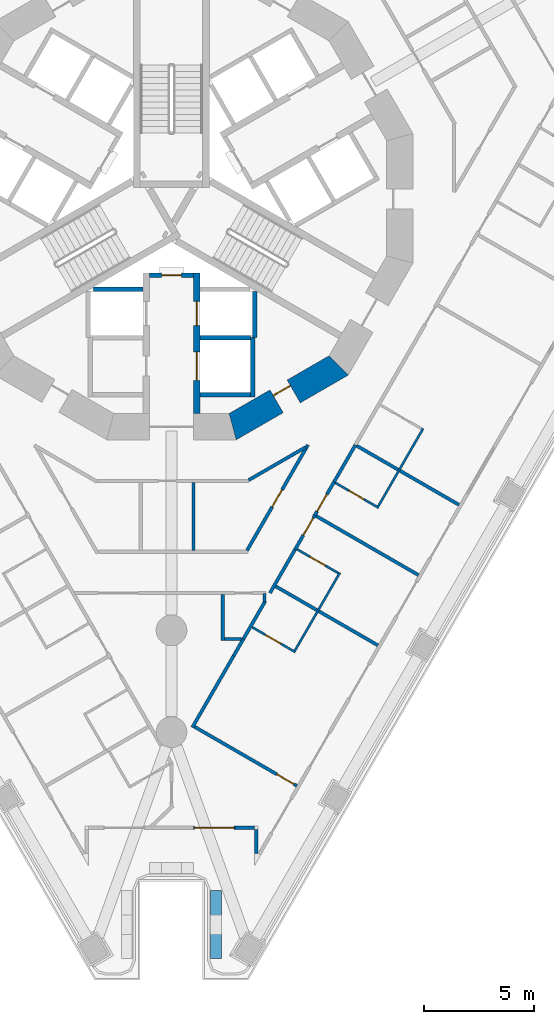
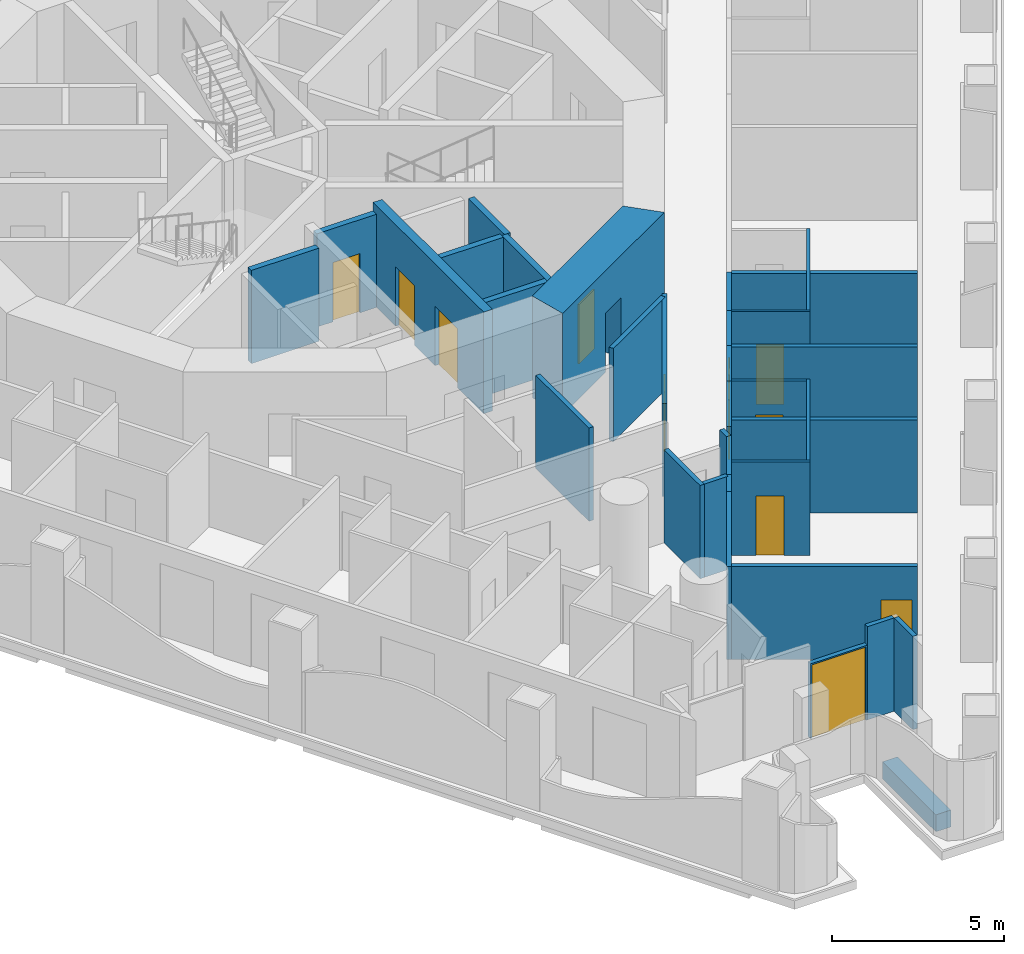
# One storey, part 4 of 19: 34 walls, 12 doors, 12 openings.
"""IFC4 building model written with IfcOpenShell, lengths in metres."""

import ifcopenshell
import ifcopenshell.guid

model = None  # the IFC model being written
_history = None  # IfcOwnerHistory: only IFC2X3 demands one
_inside = {}  # id of a spatial element -> (the spatial element, [elements in it])
_under = {}  # id of a project, library or spatial element -> (it, [spatial elements below it])
_declared = {}  # id of a project -> (the project, [libraries it declares])
_typed = {}  # id of a type object -> (the type object, [elements of that type])
_made_of = {}  # id of a material, layer set ... -> (it, [elements and type objects made of it])


def new_model(schema):
    """Start an empty IFC model of exactly this schema.

    Asked for "IFC4X3", IfcOpenShell would pick the latest addendum, in which some entities
    have other attributes; the version numbers below select the first issue.
    IFC2X3 requires an IfcOwnerHistory on every rooted entity: one is made here for all.
    """
    global model, _history
    if schema == "IFC4X3":
        model = ifcopenshell.file(schema_version=(4, 3, 0, 0))
    else:
        model = ifcopenshell.file(schema=schema)
    _inside.clear()
    _under.clear()
    _declared.clear()
    _typed.clear()
    _made_of.clear()
    _history = None
    if model.schema == "IFC2X3":
        org = make("IfcOrganization", Name="unknown")
        user = make(
            "IfcPersonAndOrganization",
            ThePerson=make("IfcPerson", FamilyName="unknown"),
            TheOrganization=org,
        )
        app = make(
            "IfcApplication",
            ApplicationDeveloper=org,
            Version="unknown",
            ApplicationFullName="unknown",
            ApplicationIdentifier="unknown",
        )
        _history = make(
            "IfcOwnerHistory",
            OwningUser=user,
            OwningApplication=app,
            ChangeAction="ADDED",
            CreationDate=0,
        )
    return model


def make(cls, **values):
    """One entity of the class cls with the attributes given. An attribute that is None is left unset."""
    return model.create_entity(
        cls, **{name: value for name, value in values.items() if value is not None}
    )


def rooted(cls, **values):
    """An entity with a GlobalId (a new one), such as an element, a storey or a relation."""
    return make(cls, GlobalId=ifcopenshell.guid.new(), OwnerHistory=_history, **values)


def si_unit(unit_type, name, prefix=None):
    """IfcSIUnit, for example si_unit("LENGTHUNIT", "METRE", prefix="MILLI")."""
    return make("IfcSIUnit", UnitType=unit_type, Prefix=prefix, Name=name)


def assignment(units):
    """IfcUnitAssignment: the units of a project."""
    return None if units is None else make("IfcUnitAssignment", Units=units)


def point(xyz):
    """IfcCartesianPoint."""
    return None if xyz is None else make("IfcCartesianPoint", Coordinates=xyz)


def direction(xyz):
    """IfcDirection."""
    return None if xyz is None else make("IfcDirection", DirectionRatios=xyz)


def frame(location, z_axis=None, x_axis=None):
    """IfcAxis2Placement3D, a coordinate frame: its origin and axes. An axis left out is left unset."""
    return make(
        "IfcAxis2Placement3D",
        Location=point(location),
        Axis=direction(z_axis),
        RefDirection=direction(x_axis),
    )


def frame_2d(location, x_axis=None):
    """IfcAxis2Placement2D, a coordinate frame in the plane: its origin and x axis."""
    return make(
        "IfcAxis2Placement2D", Location=point(location), RefDirection=direction(x_axis)
    )


def origin():
    """The frame at (0, 0, 0) with its axes left unset."""
    return frame((0.0, 0.0, 0.0))


def place(relative_to, where):
    """IfcLocalPlacement: puts the frame where relative to a parent placement (None: the world)."""
    return make(
        "IfcLocalPlacement", PlacementRelTo=relative_to, RelativePlacement=where
    )


def context(
    kind, dimensions, precision=None, world=None, true_north=None, identifier=None
):
    """IfcGeometricRepresentationContext, for example the 3D "Model" context."""
    return make(
        "IfcGeometricRepresentationContext",
        ContextIdentifier=identifier,
        ContextType=kind,
        CoordinateSpaceDimension=dimensions,
        Precision=precision,
        WorldCoordinateSystem=world,
        TrueNorth=true_north,
    )


def subcontext(parent, identifier, kind, view, scale=None):
    """IfcGeometricRepresentationSubContext, for example "Body" below "Model"."""
    return make(
        "IfcGeometricRepresentationSubContext",
        ContextIdentifier=identifier,
        ContextType=kind,
        ParentContext=parent,
        TargetScale=scale,
        TargetView=view,
    )


def project(units=None, contexts=None):
    """IfcProject with its units and contexts."""
    return rooted(
        "IfcProject",
        Name="project",
        RepresentationContexts=contexts,
        UnitsInContext=assignment(units),
    )


def spatial(cls, under=None, at=None, **own):
    """A site, building, storey or space (cls), placed at a placement, below another one or the project."""
    s = rooted(cls, ObjectPlacement=at, **own)
    if under is not None:
        _under.setdefault(under.id(), (under, []))[1].append(s)
    return s


def polyline(points):
    """IfcPolyline through the points."""
    return make("IfcPolyline", Points=[point(p) for p in points])


def profile(cls, at=None, kind="AREA", **sizes):
    """A parametric profile (cls). Its sizes go by their IFC names, for example OverallWidth=200.0."""
    return make(cls, ProfileType=kind, Position=at, **sizes)


def rectangle(**sizes):
    """IfcRectangleProfileDef."""
    return profile("IfcRectangleProfileDef", **sizes)


def outline(outer, holes=None, kind="AREA"):
    """IfcArbitraryClosedProfileDef: a profile drawn as a closed curve; with holes, ...WithVoids."""
    if holes is None:
        return make("IfcArbitraryClosedProfileDef", ProfileType=kind, OuterCurve=outer)
    return make(
        "IfcArbitraryProfileDefWithVoids",
        ProfileType=kind,
        OuterCurve=outer,
        InnerCurves=holes,
    )


def extrude(swept, where, along, depth):
    """IfcExtrudedAreaSolid: the profile swept, set in the frame where, extruded along a direction by depth."""
    return make(
        "IfcExtrudedAreaSolid",
        SweptArea=swept,
        Position=where,
        ExtrudedDirection=direction(along),
        Depth=depth,
    )


def shape(context_of_items, identifier, shape_type, items):
    """IfcShapeRepresentation: the items that make up one representation, for example the "Body"."""
    return make(
        "IfcShapeRepresentation",
        ContextOfItems=context_of_items,
        RepresentationIdentifier=identifier,
        RepresentationType=shape_type,
        Items=items,
    )


def material(Name=None, Category=None):
    """IfcMaterial."""
    return make("IfcMaterial", Name=Name, Category=Category)


def layer(
    of_material, thickness, ventilated=None, Name=None, Category=None, Priority=None
):
    """IfcMaterialLayer: one layer of a wall or slab, of a material (None: an air gap)."""
    return make(
        "IfcMaterialLayer",
        Material=of_material,
        LayerThickness=thickness,
        IsVentilated=ventilated,
        Name=Name,
        Category=Category,
        Priority=Priority,
    )


def layer_set(layers, Name=None):
    """IfcMaterialLayerSet."""
    return make("IfcMaterialLayerSet", MaterialLayers=layers, LayerSetName=Name)


def made_of(thing, what):
    """Note that an element or type object is made of a material, layer set ...; save() writes the relation."""
    if what is not None:
        _made_of.setdefault(what.id(), (what, []))[1].append(thing)
    return thing


def type_object(cls, material=None, **own):
    """A type object (cls), such as IfcWallType, which elements share."""
    return made_of(rooted(cls, **own), material)


def element(
    cls,
    number,
    at=None,
    inside=None,
    cuts=None,
    type_object=None,
    material=None,
    context=None,
    identifier="Body",
    shape_type=None,
    held_by="IfcProductDefinitionShape",
    body=None,
    shapes=None,
    **own,
):
    """One element of the class cls, such as IfcWall. Its Tag is "e" and its number.

    at: its placement. inside: the storey or other place that contains it. cuts: it is an
    opening in that element (IfcRelVoidsElement). A single representation is given by context,
    identifier, shape_type and body (its items); several are given by shapes. held_by: the class
    of the entity that holds the representations. save() writes the other relations.
    """
    e = rooted(cls, Tag="e%d" % number, ObjectPlacement=at, **own)
    if body is not None:
        shapes = [shape(context, identifier, shape_type, body)]
    if shapes is not None:
        e.Representation = make(held_by, Representations=shapes)
    if inside is not None:
        _inside.setdefault(inside.id(), (inside, []))[1].append(e)
    if cuts is not None:
        rooted(
            "IfcRelVoidsElement", RelatingBuildingElement=cuts, RelatedOpeningElement=e
        )
    if type_object is not None:
        _typed.setdefault(type_object.id(), (type_object, []))[1].append(e)
    return made_of(e, material)


def fill(opening, filler):
    """IfcRelFillsElement: the door or window that sits in an opening."""
    return rooted(
        "IfcRelFillsElement",
        RelatingOpeningElement=opening,
        RelatedBuildingElement=filler,
    )


def aggregate(whole, parts):
    """IfcRelAggregates: a whole, such as a stair, and the parts it consists of."""
    return rooted("IfcRelAggregates", RelatingObject=whole, RelatedObjects=parts)


def save(model, path):
    """Write the relations noted so far, then the file.

    IfcRelAggregates (storeys below a building ...), IfcRelContainedInSpatialStructure (elements
    in a storey), IfcRelDefinesByType, IfcRelAssociatesMaterial and IfcRelDeclares: one each for
    every whole, place, type object, material and project.
    """
    for whole, parts in _under.values():
        aggregate(whole, parts)
    for where, things in _inside.values():
        rooted(
            "IfcRelContainedInSpatialStructure",
            RelatedElements=things,
            RelatingStructure=where,
        )
    for kind, things in _typed.values():
        rooted("IfcRelDefinesByType", RelatedObjects=things, RelatingType=kind)
    for what, things in _made_of.values():
        rooted("IfcRelAssociatesMaterial", RelatedObjects=things, RelatingMaterial=what)
    for by, libraries in _declared.values():
        rooted("IfcRelDeclares", RelatingContext=by, RelatedDefinitions=libraries)
    model.write(path)


model = new_model("IFC4")

# Units and contexts
model_context = context("Model", 3, precision=1e-05, world=origin(), true_north=direction((0.0, 1.0)))
body_context = subcontext(model_context, "Body", "Model", "MODEL_VIEW")
ifc_project = project(units=[si_unit("LENGTHUNIT", "METRE"), si_unit("AREAUNIT", "SQUARE_METRE"), si_unit("VOLUMEUNIT", "CUBIC_METRE"), si_unit("PLANEANGLEUNIT", "RADIAN"), si_unit("MASSUNIT", "GRAM", prefix="KILO")], contexts=[model_context])

# Site, building, storey
site_placement = place(None, origin())
site = spatial("IfcSite", under=ifc_project, at=site_placement, CompositionType="ELEMENT")
building_placement = place(site_placement, origin())
building = spatial("IfcBuilding", under=site, at=building_placement, Name="Trine Commons Tower", CompositionType="ELEMENT")
storey_placement = place(building_placement, frame((0.0, 0.0, 31.5)))
storey = spatial("IfcBuildingStorey", under=building, at=storey_placement, Name="L06", CompositionType="ELEMENT", Elevation=31.5)

# Walls
ifc_material_1 = material(Name="Aluminium-framed insulated wall panel", Category="aluminium")
ifc_layer_1 = layer(ifc_material_1, 0.14990234375)
ifc_layer_set_1 = layer_set([ifc_layer_1], Name="Aluminium-framed insulated wall panel")
wall_type_1 = type_object("IfcWallType", Name="Glazed frame wall 150, EI 60", PredefinedType="SOLIDWALL", material=ifc_layer_set_1)
wall_1_placement = place(storey_placement, frame((83.864990234375, 32.48583984375, 0.0), z_axis=(0.0, 0.0, 1.0), x_axis=(0.0, 1.0, 0.0)))
element("IfcWall", 1, at=wall_1_placement, inside=storey, type_object=wall_type_1, Name="Glazed frame wall R9", PredefinedType="SOLIDWALL", context=body_context, shape_type="SweptSolid", body=[
    extrude(outline(polyline([(0.1494140625, 0.074951171875), (0.1494140625, -0.074951171875), (1.235107421875, -0.074951171875), (1.235107421875, 0.074951171875), (0.1494140625, 0.074951171875)])), origin(), (0.0, 0.0, 1.0), 3.300048828125),
])
wall_2_placement = place(storey_placement, frame((83.89990234375, 33.7958984375, 0.0), z_axis=(0.0, 0.0, 1.0), x_axis=(-1.0, 0.0, 0.0)))
element("IfcWall", 2, at=wall_2_placement, inside=storey, type_object=wall_type_1, Name="Glazed frame wall P3.1", PredefinedType="SOLIDWALL", context=body_context, shape_type="SweptSolid", body=[
    extrude(outline(polyline([(0.110107421875, -0.074951171875), (1.0, -0.074951171875), (1.0, 0.074951171875), (0.110107421875, 0.074951171875), (0.110107421875, -0.074951171875)])), origin(), (0.0, 0.0, 1.0), 3.300048828125),
])

# Wall, opening, door
wall_3_placement = place(storey_placement, frame((82.89990234375, 33.7958984375, 0.0), z_axis=(0.0, 0.0, 1.0), x_axis=(-1.0, 0.0, 0.0)))
wall_3 = element("IfcWall", 3, at=wall_3_placement, inside=storey, type_object=wall_type_1, Name="Glazed frame wall P3.2", PredefinedType="SOLIDWALL", context=body_context, shape_type="SweptSolid", body=[
    extrude(outline(polyline([(0.0, -0.074951171875), (1.89990234375, -0.074951171875), (1.89990234375, 0.074951171875), (0.0, 0.074951171875), (0.0, -0.074951171875)])), origin(), (0.0, 0.0, 1.0), 2.64990234375),
])
opening_1_placement = place(wall_3_placement, frame((0.050048828125, 0.0, 0.0)))
opening_1 = element("IfcOpeningElement", 4, at=opening_1_placement, cuts=wall_3, Name="Opening BD-1P3-01", PredefinedType="OPENING", context=body_context, shape_type="SweptSolid", body=[
    extrude(rectangle(XDim=1.800048828125, YDim=2.60009765625, at=frame_2d((0.89990234375, 1.300048828125))), frame((0.0, 0.0849609375, 0.0), z_axis=(0.0, -1.0, 0.0), x_axis=(1.0, 0.0, 0.0)), (0.0, 0.0, 1.0), 0.169921875),
])
ifc_material_2 = material(Name="Anodised aluminium frame with double glazing", Category="aluminium")
door_type_1 = type_object("IfcDoorType", Name="Sliding loggia door 1800x2600", OperationType="SLIDING_TO_LEFT", PredefinedType="DOOR", material=ifc_material_2)
door_1_placement = place(opening_1_placement, origin())
door_1 = element("IfcDoor", 5, at=door_1_placement, inside=storey, type_object=door_type_1, Name="Loggia door P3 1", OperationType="SLIDING_TO_LEFT", OverallHeight=2.60009765625, OverallWidth=1.800048828125, PredefinedType="DOOR", context=body_context, shape_type="SweptSolid", body=[
    extrude(rectangle(XDim=1.800048828125, YDim=2.60009765625, at=frame_2d((0.89990234375, 1.300048828125))), frame((0.0, 0.02490234375, 0.0), z_axis=(0.0, -1.0, 0.0), x_axis=(1.0, 0.0, 0.0)), (0.0, 0.0, 1.0), 0.050048828125),
])
fill(opening_1, door_1)

ifc_material_3 = material(Name="Fire-rated gypsum shaft wall system")
ifc_layer_2 = layer(ifc_material_3, 0.199951171875)
ifc_layer_set_2 = layer_set([ifc_layer_2], Name="Fire-rated gypsum shaft wall system")
wall_type_2 = type_object("IfcWallType", Name="Lobby end wall 200 mm, EI 120", PredefinedType="PARTITIONING", material=ifc_layer_set_2)
wall_4_placement = place(storey_placement, frame((79.0, 59.0, 0.0), z_axis=(0.0, 0.0, 1.0), x_axis=(1.0, 0.0, 0.0)))
wall_4 = element("IfcWall", 6, at=wall_4_placement, inside=storey, type_object=wall_type_2, Name="Lobby end wall L06", PredefinedType="PARTITIONING", context=body_context, shape_type="SweptSolid", body=[
    extrude(rectangle(XDim=2.0, YDim=0.199951171875, at=frame_2d((1.0, 0.0))), origin(), (0.0, 0.0, 1.0), 3.300048828125),
])
opening_2_placement = place(wall_4_placement, frame((0.550048828125, 0.0, 0.0)))
opening_2 = element("IfcOpeningElement", 7, at=opening_2_placement, cuts=wall_4, Name="Opening K05.09", PredefinedType="OPENING", context=body_context, shape_type="SweptSolid", body=[
    extrude(rectangle(XDim=0.89990234375, YDim=2.10009765625, at=frame_2d((0.449951171875, 1.050048828125))), frame((0.0, 0.10986328125, 0.0), z_axis=(0.0, -1.0, 0.0), x_axis=(1.0, 0.0, 0.0)), (0.0, 0.0, 1.0), 0.219970703125),
])
ifc_material_4 = material(Name="Steel door leaf, fire-rated", Category="steel")
door_type_2 = type_object("IfcDoorType", Name="Riser access door, single leaf 900 x 2100, FD60", OperationType="SINGLE_SWING_LEFT", PredefinedType="DOOR", material=ifc_material_4)
door_2_placement = place(opening_2_placement, frame((0.89990234375, 0.0, 0.0), z_axis=(0.0, 0.0, 1.0), x_axis=(-1.0, 0.0, 0.0)))
door_2 = element("IfcDoor", 8, at=door_2_placement, inside=storey, type_object=door_type_2, Name="Riser door, Communications riser L06", OperationType="SINGLE_SWING_RIGHT", OverallHeight=2.10009765625, OverallWidth=0.89990234375, PredefinedType="DOOR", context=body_context, shape_type="SweptSolid", body=[
    extrude(rectangle(XDim=0.89990234375, YDim=2.10009765625, at=frame_2d((0.449951171875, 1.050048828125))), frame((0.0, 0.02490234375, 0.0), z_axis=(0.0, -1.0, 0.0), x_axis=(1.0, 0.0, 0.0)), (0.0, 0.0, 1.0), 0.050048828125),
])
fill(opening_2, door_2)

# Wall
ifc_material_5 = material(Name="Planter trough, precast concrete C40/50", Category="concrete")
ifc_layer_3 = layer(ifc_material_5, 0.5)
ifc_layer_set_3 = layer_set([ifc_layer_3], Name="Planter trough, precast concrete C40/50")
wall_type_3 = type_object("IfcWallType", Name="Planter trough 500x600", PredefinedType="PARAPET", material=ifc_layer_set_3)
wall_5_placement = place(storey_placement, frame((82.0400390625, 27.830810546875, 0.0), z_axis=(0.0, 0.0, 1.0), x_axis=(0.0, 1.0, 0.0)))
element("IfcWall", 9, at=wall_5_placement, inside=storey, type_object=wall_type_3, Name="Planter 7", PredefinedType="PARAPET", context=body_context, shape_type="SweptSolid", body=[
    extrude(rectangle(XDim=3.10009765625, YDim=0.5, at=frame_2d((1.550048828125, 0.0))), origin(), (0.0, 0.0, 1.0), 0.60009765625),
])

# Wall, opening, door
ifc_material_6 = material(Name="Concrete C80/95", Category="concrete")
ifc_layer_4 = layer(ifc_material_6, 1.199951171875)
ifc_layer_set_4 = layer_set([ifc_layer_4], Name="Concrete C80/95")
wall_type_4 = type_object("IfcWallType", Name="RC shear wall 1200 mm, C80/95", PredefinedType="SHEAR", material=ifc_layer_set_4)
wall_6_placement = place(storey_placement, frame((82.650390625, 52.008056640625, 0.0), z_axis=(0.0, 0.0, 1.0), x_axis=(0.866037463336, 0.499979111662, 0.0)))
wall_6 = element("IfcWall", 10, at=wall_6_placement, inside=storey, type_object=wall_type_4, Name="Core wall CWA-11 L06", PredefinedType="SHEAR", context=body_context, shape_type="SweptSolid", body=[
    extrude(outline(polyline([(0.0, -0.60009765625), (5.901123046875, -0.60009765625), (5.57958984375, 0.60009765625), (0.321533203125, 0.60009765625), (0.0, -0.60009765625)])), origin(), (0.0, 0.0, 1.0), 3.60009765625),
])
opening_3_placement = place(wall_6_placement, frame((2.474853515625, 0.0, 0.0)))
opening_3 = element("IfcOpeningElement", 11, at=opening_3_placement, cuts=wall_6, Name="Opening K05.15", PredefinedType="OPENING", context=body_context, shape_type="SweptSolid", body=[
    extrude(rectangle(XDim=0.89990234375, YDim=2.10009765625, at=frame_2d((0.449951171875, 1.050048828125))), frame((0.0, 0.60986328125, 0.0), z_axis=(0.0, -1.0, 0.0), x_axis=(1.0, 0.0, 0.0)), (0.0, 0.0, 1.0), 1.219970703125),
])
door_type_3 = type_object("IfcDoorType", Name="Core room door, single leaf 900 x 2100, FD30S", OperationType="SINGLE_SWING_LEFT", PredefinedType="DOOR", material=ifc_material_4)
door_3_placement = place(opening_3_placement, origin())
door_3 = element("IfcDoor", 12, at=door_3_placement, inside=storey, type_object=door_type_3, Name="Door to Core WC L06", OperationType="SINGLE_SWING_LEFT", OverallHeight=2.10009765625, OverallWidth=0.89990234375, PredefinedType="DOOR", context=body_context, shape_type="SweptSolid", body=[
    extrude(rectangle(XDim=0.89990234375, YDim=2.10009765625, at=frame_2d((0.449951171875, 1.050048828125))), frame((0.0, 0.3251953125, 0.0), z_axis=(0.0, -1.0, 0.0), x_axis=(1.0, 0.0, 0.0)), (0.0, 0.0, 1.0), 0.050048828125),
])
fill(opening_3, door_3)

# Wall, openings, doors
ifc_layer_5 = layer(ifc_material_6, 0.300048828125)
ifc_layer_set_5 = layer_set([ifc_layer_5], Name="Concrete C80/95")
wall_type_5 = type_object("IfcWallType", Name="RC shear wall 300 mm, C80/95", PredefinedType="SHEAR", material=ifc_layer_set_5)
wall_7_placement = place(storey_placement, frame((81.14990234375, 59.10009765625, 0.0), z_axis=(0.0, 0.0, 1.0), x_axis=(0.0, -1.0, 0.0)))
wall_7 = element("IfcWall", 13, at=wall_7_placement, inside=storey, type_object=wall_type_5, Name="Core cross wall SWA-04 L06", PredefinedType="SHEAR", context=body_context, shape_type="SweptSolid", body=[
    extrude(rectangle(XDim=6.412109375, YDim=0.300048828125, at=frame_2d((3.2060546875, 0.0))), origin(), (0.0, 0.0, 1.0), 3.60009765625),
])
opening_4_placement = place(wall_7_placement, frame((3.60009765625, 0.0, 0.0)))
opening_4 = element("IfcOpeningElement", 14, at=opening_4_placement, cuts=wall_7, Name="Opening LD11", PredefinedType="OPENING", context=body_context, shape_type="SweptSolid", body=[
    extrude(rectangle(XDim=1.300048828125, YDim=2.10009765625, at=frame_2d((0.64990234375, 1.050048828125))), frame((0.0, 0.159912109375, 0.0), z_axis=(0.0, -1.0, 0.0), x_axis=(1.0, 0.0, 0.0)), (0.0, 0.0, 1.0), 0.320068359375),
])
opening_5_placement = place(wall_7_placement, frame((1.300048828125, 0.0, 0.0)))
opening_5 = element("IfcOpeningElement", 15, at=opening_5_placement, cuts=wall_7, Name="Opening LD9", PredefinedType="OPENING", context=body_context, shape_type="SweptSolid", body=[
    extrude(rectangle(XDim=1.10009765625, YDim=2.10009765625, at=frame_2d((0.550048828125, 1.050048828125))), frame((0.0, 0.159912109375, 0.0), z_axis=(0.0, -1.0, 0.0), x_axis=(1.0, 0.0, 0.0)), (0.0, 0.0, 1.0), 0.320068359375),
])
ifc_material_7 = material(Name="Stainless steel sliding door leaves", Category="steel")
door_type_4 = type_object("IfcDoorType", Name="Lift landing door, centre-opening sliding 1100 x 2100, FD90", OperationType="DOUBLE_DOOR_SLIDING", PredefinedType="DOOR", material=ifc_material_7)
door_4_placement = place(opening_5_placement, origin())
door_4 = element("IfcDoor", 16, at=door_4_placement, inside=storey, type_object=door_type_4, Name="Lift landing door FF1 L06", OperationType="DOUBLE_DOOR_SLIDING", OverallHeight=2.10009765625, OverallWidth=1.10009765625, PredefinedType="DOOR", context=body_context, shape_type="SweptSolid", body=[
    extrude(rectangle(XDim=1.10009765625, YDim=2.10009765625, at=frame_2d((0.550048828125, 1.050048828125))), frame((0.0, 0.02490234375, 0.0), z_axis=(0.0, -1.0, 0.0), x_axis=(1.0, 0.0, 0.0)), (0.0, 0.0, 1.0), 0.050048828125),
])
fill(opening_5, door_4)
door_type_5 = type_object("IfcDoorType", Name="Lift landing door, centre-opening sliding 1300 x 2100, FD90", OperationType="DOUBLE_DOOR_SLIDING", PredefinedType="DOOR", material=ifc_material_7)
door_5_placement = place(opening_4_placement, origin())
door_5 = element("IfcDoor", 17, at=door_5_placement, inside=storey, type_object=door_type_5, Name="Lift landing door G1 L06", OperationType="DOUBLE_DOOR_SLIDING", OverallHeight=2.10009765625, OverallWidth=1.300048828125, PredefinedType="DOOR", context=body_context, shape_type="SweptSolid", body=[
    extrude(rectangle(XDim=1.300048828125, YDim=2.10009765625, at=frame_2d((0.64990234375, 1.050048828125))), frame((0.0, 0.02490234375, 0.0), z_axis=(0.0, -1.0, 0.0), x_axis=(1.0, 0.0, 0.0)), (0.0, 0.0, 1.0), 0.050048828125),
])
fill(opening_4, door_5)

# Walls
ifc_layer_6 = layer(ifc_material_3, 0.199951171875)
ifc_layer_set_6 = layer_set([ifc_layer_6], Name="Fire-rated gypsum shaft wall system")
wall_type_6 = type_object("IfcWallType", Name="Shaft wall 200 mm, EI 120", PredefinedType="PARTITIONING", material=ifc_layer_set_6)
wall_8_placement = place(storey_placement, frame((78.699951171875, 58.35009765625, 0.0), z_axis=(0.0, 0.0, 1.0), x_axis=(-1.0, 0.0, 0.0)))
element("IfcWall", 18, at=wall_8_placement, inside=storey, type_object=wall_type_6, Name="Shaft wall L06", PredefinedType="PARTITIONING", context=body_context, shape_type="SweptSolid", body=[
    extrude(rectangle(XDim=2.264892578125, YDim=0.199951171875, at=frame_2d((1.13232421875, 0.0))), origin(), (0.0, 0.0, 1.0), 3.300048828125),
])
for number, where, z_axis, x_axis, name in (
    (19, (81.300048828125, 53.550048828125, 0.0), (0.0, 0.0, 1.0), (1.0, 0.0, 0.0), "Shaft wall L06"),
    (20, (81.300048828125, 56.14990234375, 0.0), (0.0, 0.0, 1.0), (1.0, 0.0, 0.0), "Shaft wall L06"),
):
    element("IfcWall", number, at=place(storey_placement, frame(where, z_axis=z_axis, x_axis=x_axis)), inside=storey, type_object=wall_type_6, Name=name, PredefinedType="PARTITIONING", context=body_context, shape_type="SweptSolid", body=[
        extrude(rectangle(XDim=2.300048828125, YDim=0.199951171875, at=frame_2d((1.14990234375, 0.0))), origin(), (0.0, 0.0, 1.0), 3.300048828125),
    ])
wall_9_placement = place(storey_placement, frame((83.699951171875, 56.14990234375, 0.0), z_axis=(0.0, 0.0, 1.0), x_axis=(0.0, -1.0, 0.0)))
element("IfcWall", 21, at=wall_9_placement, inside=storey, type_object=wall_type_6, Name="Shaft wall L06", PredefinedType="PARTITIONING", context=body_context, shape_type="SweptSolid", body=[
    extrude(rectangle(XDim=2.699951171875, YDim=0.199951171875, at=frame_2d((1.35009765625, 0.0))), origin(), (0.0, 0.0, 1.0), 3.300048828125),
])
wall_10_placement = place(storey_placement, frame((83.800048828125, 58.256103515625, 0.0), z_axis=(0.0, 0.0, 1.0), x_axis=(0.0, -1.0, 0.0)))
element("IfcWall", 22, at=wall_10_placement, inside=storey, type_object=wall_type_6, Name="Shaft wall L06", PredefinedType="PARTITIONING", context=body_context, shape_type="SweptSolid", body=[
    extrude(rectangle(XDim=2.106201171875, YDim=0.199951171875, at=frame_2d((1.05322265625, 0.0))), origin(), (0.0, 0.0, 1.0), 3.300048828125),
])
ifc_material_8 = material(Name="Gypsum plasterboard on steel stud", Category="steel")
ifc_layer_7 = layer(ifc_material_8, 0.14990234375)
ifc_layer_set_7 = layer_set([ifc_layer_7], Name="Gypsum plasterboard on steel stud")
wall_type_7 = type_object("IfcWallType", Name="Unit and corridor wall 150 mm, EI 60", PredefinedType="PARTITIONING", material=ifc_layer_set_7)
wall_11_placement = place(storey_placement, frame((80.950439453125, 38.3740234375, 0.0), z_axis=(0.0, 0.0, 1.0), x_axis=(0.500125622755, 0.865952863304, 0.0)))
element("IfcWall", 23, at=wall_11_placement, inside=storey, type_object=wall_type_7, Name="Partition 070", PredefinedType="PARTITIONING", context=body_context, shape_type="SweptSolid", body=[
    extrude(rectangle(XDim=3.77392578125, YDim=0.14990234375, at=frame_2d((1.886962890625, 0.0))), origin(), (0.0, 0.0, 1.0), 3.300048828125),
])

# Wall, opening, door
wall_12_placement = place(storey_placement, frame((81.052978515625, 38.401611328125, 0.0), z_axis=(0.0, 0.0, 1.0), x_axis=(0.866038326347, -0.499977616797, 0.0)))
wall_12 = element("IfcWall", 24, at=wall_12_placement, inside=storey, type_object=wall_type_7, Name="Partition 071", PredefinedType="PARTITIONING", context=body_context, shape_type="SweptSolid", body=[
    extrude(rectangle(XDim=5.383544921875, YDim=0.14990234375, at=frame_2d((2.69189453125, 0.0))), origin(), (0.0, 0.0, 1.0), 3.300048828125),
])
opening_6_placement = place(wall_12_placement, frame((4.33349609375, 0.0, 0.0)))
opening_6 = element("IfcOpeningElement", 25, at=opening_6_placement, cuts=wall_12, Name="Opening D-1A23", PredefinedType="OPENING", context=body_context, shape_type="SweptSolid", body=[
    extrude(rectangle(XDim=0.89990234375, YDim=2.10009765625, at=frame_2d((0.449951171875, 1.050048828125))), frame((0.0, 0.0849609375, 0.0), z_axis=(0.0, -1.0, 0.0), x_axis=(1.0, 0.0, 0.0)), (0.0, 0.0, 1.0), 0.169921875),
])
ifc_material_9 = material(Name="Timber fire door set", Category="wood")
door_type_6 = type_object("IfcDoorType", Name="Bedroom door 900 x 2100, FD30S", OperationType="NOTDEFINED", PredefinedType="DOOR", material=ifc_material_9)
door_6_placement = place(opening_6_placement, origin())
door_6 = element("IfcDoor", 26, at=door_6_placement, inside=storey, type_object=door_type_6, Name="Door D-1A23", OperationType="SINGLE_SWING_RIGHT", OverallHeight=2.10009765625, OverallWidth=0.89990234375, PredefinedType="DOOR", context=body_context, shape_type="SweptSolid", body=[
    extrude(rectangle(XDim=0.89990234375, YDim=2.10009765625, at=frame_2d((0.449951171875, 1.050048828125))), frame((0.0, 0.02490234375, 0.0), z_axis=(0.0, -1.0, 0.0), x_axis=(1.0, 0.0, 0.0)), (0.0, 0.0, 1.0), 0.050048828125),
])
fill(opening_6, door_6)

# Walls
wall_13_placement = place(storey_placement, frame((81.0, 46.452880859375, 0.0), z_axis=(0.0, 0.0, 1.0), x_axis=(0.0, 1.0, 0.0)))
element("IfcWall", 27, at=wall_13_placement, inside=storey, type_object=wall_type_7, Name="Partition 072", PredefinedType="PARTITIONING", context=body_context, shape_type="SweptSolid", body=[
    extrude(rectangle(XDim=3.085205078125, YDim=0.14990234375, at=frame_2d((1.54248046875, 0.0))), origin(), (0.0, 0.0, 1.0), 3.300048828125),
])
wall_14_placement = place(storey_placement, frame((82.340087890625, 42.327880859375, 0.0), z_axis=(0.0, 0.0, 1.0), x_axis=(0.0, 1.0, 0.0)))
element("IfcWall", 28, at=wall_14_placement, inside=storey, type_object=wall_type_7, Name="Partition 075", PredefinedType="PARTITIONING", context=body_context, shape_type="SweptSolid", body=[
    extrude(rectangle(XDim=2.10009765625, YDim=0.14990234375, at=frame_2d((1.050048828125, 0.0))), origin(), (0.0, 0.0, 1.0), 3.300048828125),
])
wall_15_placement = place(storey_placement, frame((82.4150390625, 42.403076171875, 0.0), z_axis=(0.0, 0.0, 1.0), x_axis=(1.0, 0.0, 0.0)))
element("IfcWall", 29, at=wall_15_placement, inside=storey, type_object=wall_type_7, Name="Partition 076", PredefinedType="PARTITIONING", context=body_context, shape_type="SweptSolid", body=[
    extrude(rectangle(XDim=0.786865234375, YDim=0.14990234375, at=frame_2d((0.3935546875, 0.0))), origin(), (0.0, 0.0, 1.0), 3.300048828125),
])
wall_16_placement = place(storey_placement, frame((82.837890625, 41.64208984375, 0.0), z_axis=(0.0, 0.0, 1.0), x_axis=(0.499874792173, 0.86609768049, 0.0)))
element("IfcWall", 30, at=wall_16_placement, inside=storey, type_object=wall_type_7, Name="Partition 077", PredefinedType="PARTITIONING", context=body_context, shape_type="SweptSolid", body=[
    extrude(rectangle(XDim=0.878662109375, YDim=0.14990234375, at=frame_2d((0.439453125, 0.0))), origin(), (0.0, 0.0, 1.0), 3.300048828125),
])
wall_17_placement = place(storey_placement, frame((83.277099609375, 42.403076171875, 0.0), z_axis=(0.0, 0.0, 1.0), x_axis=(0.500208453646, 0.865905019561, 0.0)))
element("IfcWall", 31, at=wall_17_placement, inside=storey, type_object=wall_type_7, Name="Partition 078", PredefinedType="PARTITIONING", context=body_context, shape_type="SweptSolid", body=[
    extrude(rectangle(XDim=2.000244140625, YDim=0.14990234375, at=frame_2d((1.0, 0.0))), origin(), (0.0, 0.0, 1.0), 3.300048828125),
])

# Wall, opening, door
wall_18_placement = place(storey_placement, frame((83.444580078125, 46.443115234375, 0.0), z_axis=(0.0, 0.0, 1.0), x_axis=(0.500003847982, 0.86602318214, 0.0)))
wall_18 = element("IfcWall", 32, at=wall_18_placement, inside=storey, type_object=wall_type_7, Name="Partition 079", PredefinedType="PARTITIONING", context=body_context, shape_type="SweptSolid", body=[
    extrude(rectangle(XDim=5.5576171875, YDim=0.14990234375, at=frame_2d((2.77880859375, 0.0))), origin(), (0.0, 0.0, 1.0), 3.300048828125),
])
opening_7_placement = place(wall_18_placement, frame((2.29150390625, 0.0, 0.0)))
opening_7 = element("IfcOpeningElement", 33, at=opening_7_placement, cuts=wall_18, Name="Opening D-1A35", PredefinedType="OPENING", context=body_context, shape_type="SweptSolid", body=[
    extrude(rectangle(XDim=0.89990234375, YDim=2.10009765625, at=frame_2d((0.449951171875, 1.050048828125))), frame((0.0, 0.0849609375, 0.0), z_axis=(0.0, -1.0, 0.0), x_axis=(1.0, 0.0, 0.0)), (0.0, 0.0, 1.0), 0.169921875),
])
door_type_7 = type_object("IfcDoorType", Name="Service door 900 x 2100, FD30S", OperationType="NOTDEFINED", PredefinedType="DOOR", material=ifc_material_9)
door_7_placement = place(opening_7_placement, origin())
door_7 = element("IfcDoor", 34, at=door_7_placement, inside=storey, type_object=door_type_7, Name="Door D-1A35", OperationType="SINGLE_SWING_LEFT", OverallHeight=2.10009765625, OverallWidth=0.89990234375, PredefinedType="DOOR", context=body_context, shape_type="SweptSolid", body=[
    extrude(rectangle(XDim=0.89990234375, YDim=2.10009765625, at=frame_2d((0.449951171875, 1.050048828125))), frame((0.0, 0.02490234375, 0.0), z_axis=(0.0, -1.0, 0.0), x_axis=(1.0, 0.0, 0.0)), (0.0, 0.0, 1.0), 0.050048828125),
])
fill(opening_7, door_7)

# Walls
wall_19_placement = place(storey_placement, frame((83.517822265625, 49.650390625, 0.0), z_axis=(0.0, 0.0, 1.0), x_axis=(0.865962665808, 0.500108649621, 0.0)))
element("IfcWall", 35, at=wall_19_placement, inside=storey, type_object=wall_type_7, Name="Partition 080", PredefinedType="PARTITIONING", context=body_context, shape_type="SweptSolid", body=[
    extrude(rectangle(XDim=3.009521484375, YDim=0.14990234375, at=frame_2d((1.5048828125, 0.0))), origin(), (0.0, 0.0, 1.0), 3.300048828125),
])
wall_20_placement = place(storey_placement, frame((84.239990234375, 44.08642578125, 0.0), z_axis=(0.0, 0.0, 1.0), x_axis=(0.0, 1.0, 0.0)))
element("IfcWall", 36, at=wall_20_placement, inside=storey, type_object=wall_type_7, Name="Partition 083", PredefinedType="PARTITIONING", context=body_context, shape_type="SweptSolid", body=[
    extrude(rectangle(XDim=0.400146484375, YDim=0.14990234375, at=frame_2d((0.2001953125, 0.0))), origin(), (0.0, 0.0, 1.0), 3.300048828125),
])
wall_21_placement = place(storey_placement, frame((84.489990234375, 44.5029296875, 0.0), z_axis=(0.0, 0.0, 1.0), x_axis=(0.499884423167, 0.866092121818, 0.0)))
element("IfcWall", 37, at=wall_21_placement, inside=storey, type_object=wall_type_7, Name="Partition 084", PredefinedType="PARTITIONING", context=body_context, shape_type="SweptSolid", body=[
    extrude(rectangle(XDim=2.3486328125, YDim=0.14990234375, at=frame_2d((1.17431640625, 0.0))), origin(), (0.0, 0.0, 1.0), 3.300048828125),
])
wall_22_placement = place(storey_placement, frame((84.751953125, 44.8076171875, 0.0), z_axis=(0.0, 0.0, 1.0), x_axis=(0.866038326347, -0.499977616797, 0.0)))
element("IfcWall", 38, at=wall_22_placement, inside=storey, type_object=wall_type_7, Name="Partition 085", PredefinedType="PARTITIONING", context=body_context, shape_type="SweptSolid", body=[
    extrude(rectangle(XDim=5.383544921875, YDim=0.14990234375, at=frame_2d((2.69189453125, 0.0))), origin(), (0.0, 0.0, 1.0), 3.300048828125),
])

# Wall, opening, door
wall_23_placement = place(storey_placement, frame((85.635986328125, 46.48779296875, 0.0), z_axis=(0.0, 0.0, 1.0), x_axis=(0.4999359155, 0.866062399826, 0.0)))
wall_23 = element("IfcWall", 39, at=wall_23_placement, inside=storey, type_object=wall_type_7, Name="Partition 088", PredefinedType="PARTITIONING", context=body_context, shape_type="SweptSolid", body=[
    extrude(rectangle(XDim=1.881103515625, YDim=0.14990234375, at=frame_2d((0.9404296875, 0.0))), origin(), (0.0, 0.0, 1.0), 3.300048828125),
])
opening_8_placement = place(wall_23_placement, frame((0.752685546875, 0.0, 0.0)))
opening_8 = element("IfcOpeningElement", 40, at=opening_8_placement, cuts=wall_23, Name="Opening D-1A22", PredefinedType="OPENING", context=body_context, shape_type="SweptSolid", body=[
    extrude(rectangle(XDim=0.89990234375, YDim=2.10009765625, at=frame_2d((0.449951171875, 1.050048828125))), frame((0.0, 0.0849609375, 0.0), z_axis=(0.0, -1.0, 0.0), x_axis=(1.0, 0.0, 0.0)), (0.0, 0.0, 1.0), 0.169921875),
])
door_8_placement = place(opening_8_placement, frame((0.89990234375, 0.0, 0.0), z_axis=(0.0, 0.0, 1.0), x_axis=(-1.0, 0.0, 0.0)))
door_8 = element("IfcDoor", 41, at=door_8_placement, inside=storey, type_object=door_type_6, Name="Door D-1A22", OperationType="SINGLE_SWING_LEFT", OverallHeight=2.10009765625, OverallWidth=0.89990234375, PredefinedType="DOOR", context=body_context, shape_type="SweptSolid", body=[
    extrude(rectangle(XDim=0.89990234375, YDim=2.10009765625, at=frame_2d((0.449951171875, 1.050048828125))), frame((0.0, 0.02490234375, 0.0), z_axis=(0.0, -1.0, 0.0), x_axis=(1.0, 0.0, 0.0)), (0.0, 0.0, 1.0), 0.050048828125),
])
fill(opening_8, door_8)

wall_24_placement = place(storey_placement, frame((86.534912109375, 48.0458984375, 0.0), z_axis=(0.0, 0.0, 1.0), x_axis=(0.500252110048, 0.865879799044, 0.0)))
wall_24 = element("IfcWall", 42, at=wall_24_placement, inside=storey, type_object=wall_type_7, Name="Partition 090", PredefinedType="PARTITIONING", context=body_context, shape_type="SweptSolid", body=[
    extrude(rectangle(XDim=1.75537109375, YDim=0.14990234375, at=frame_2d((0.877685546875, 0.0))), origin(), (0.0, 0.0, 1.0), 3.300048828125),
])
opening_9_placement = place(wall_24_placement, frame((0.20849609375, 0.0, 0.0)))
opening_9 = element("IfcOpeningElement", 43, at=opening_9_placement, cuts=wall_24, Name="Opening D-1A21", PredefinedType="OPENING", context=body_context, shape_type="SweptSolid", body=[
    extrude(rectangle(XDim=0.89990234375, YDim=2.10009765625, at=frame_2d((0.449951171875, 1.050048828125))), frame((0.0, 0.0849609375, 0.0), z_axis=(0.0, -1.0, 0.0), x_axis=(1.0, 0.0, 0.0)), (0.0, 0.0, 1.0), 0.169921875),
])
door_9_placement = place(opening_9_placement, frame((0.89990234375, 0.0, 0.0), z_axis=(0.0, 0.0, 1.0), x_axis=(-1.0, 0.0, 0.0)))
door_9 = element("IfcDoor", 44, at=door_9_placement, inside=storey, type_object=door_type_6, Name="Door D-1A21", OperationType="SINGLE_SWING_RIGHT", OverallHeight=2.10009765625, OverallWidth=0.89990234375, PredefinedType="DOOR", context=body_context, shape_type="SweptSolid", body=[
    extrude(rectangle(XDim=0.89990234375, YDim=2.10009765625, at=frame_2d((0.449951171875, 1.050048828125))), frame((0.0, 0.02490234375, 0.0), z_axis=(0.0, -1.0, 0.0), x_axis=(1.0, 0.0, 0.0)), (0.0, 0.0, 1.0), 0.050048828125),
])
fill(opening_9, door_9)

# Walls
wall_25_placement = place(storey_placement, frame((86.60205078125, 48.011474609375, 0.0), z_axis=(0.0, 0.0, 1.0), x_axis=(0.866012611495, -0.500022156241, 0.0)))
element("IfcWall", 45, at=wall_25_placement, inside=storey, type_object=wall_type_7, Name="Partition 091", PredefinedType="PARTITIONING", context=body_context, shape_type="SweptSolid", body=[
    extrude(rectangle(XDim=5.382568359375, YDim=0.14990234375, at=frame_2d((2.69140625, 0.0))), origin(), (0.0, 0.0, 1.0), 3.300048828125),
])
wall_26_placement = place(storey_placement, frame((87.385009765625, 49.5166015625, 0.0), z_axis=(0.0, 0.0, 1.0), x_axis=(0.499750537383, 0.866169383196, 0.0)))
element("IfcWall", 46, at=wall_26_placement, inside=storey, type_object=wall_type_7, Name="Partition 094", PredefinedType="PARTITIONING", context=body_context, shape_type="SweptSolid", body=[
    extrude(rectangle(XDim=2.0068359375, YDim=0.14990234375, at=frame_2d((1.00341796875, 0.0))), origin(), (0.0, 0.0, 1.0), 3.300048828125),
])
wall_27_placement = place(storey_placement, frame((88.450927734375, 51.214599609375, 0.0), z_axis=(0.0, 0.0, 1.0), x_axis=(0.865992970276, -0.500056172277, 0.0)))
element("IfcWall", 47, at=wall_27_placement, inside=storey, type_object=wall_type_7, Name="Partition 097", PredefinedType="PARTITIONING", context=body_context, shape_type="SweptSolid", body=[
    extrude(rectangle(XDim=5.3828125, YDim=0.14990234375, at=frame_2d((2.69140625, 0.0))), origin(), (0.0, 0.0, 1.0), 3.300048828125),
])

# Wall, opening, door
ifc_layer_8 = layer(ifc_material_8, 0.10009765625)
ifc_layer_set_8 = layer_set([ifc_layer_8], Name="Gypsum plasterboard on steel stud")
wall_type_8 = type_object("IfcWallType", Name="Unit partition 100 mm, no rating", PredefinedType="PARTITIONING", material=ifc_layer_set_8)
wall_28_placement = place(storey_placement, frame((83.677001953125, 42.945556640625, 0.0), z_axis=(0.0, 0.0, 1.0), x_axis=(0.866035472144, -0.499982560684, 0.0)))
wall_28 = element("IfcWall", 48, at=wall_28_placement, inside=storey, type_object=wall_type_8, Name="Partition 081", PredefinedType="PARTITIONING", context=body_context, shape_type="SweptSolid", body=[
    extrude(rectangle(XDim=2.27490234375, YDim=0.10009765625, at=frame_2d((1.137451171875, 0.0))), origin(), (0.0, 0.0, 1.0), 3.300048828125),
])
opening_10_placement = place(wall_28_placement, frame((0.712646484375, 0.0, 0.0)))
opening_10 = element("IfcOpeningElement", 49, at=opening_10_placement, cuts=wall_28, Name="Opening D-1A55", PredefinedType="OPENING", context=body_context, shape_type="SweptSolid", body=[
    extrude(rectangle(XDim=0.800048828125, YDim=2.10009765625, at=frame_2d((0.39990234375, 1.050048828125))), frame((0.0, 0.06005859375, 0.0), z_axis=(0.0, -1.0, 0.0), x_axis=(1.0, 0.0, 0.0)), (0.0, 0.0, 1.0), 0.1201171875),
])
ifc_material_10 = material(Name="Painted timber", Category="wood")
door_type_8 = type_object("IfcDoorType", Name="Internal door 800 x 2100, NOT RATED", OperationType="NOTDEFINED", PredefinedType="DOOR", material=ifc_material_10)
door_10_placement = place(opening_10_placement, frame((0.800048828125, 0.0, 0.0), z_axis=(0.0, 0.0, 1.0), x_axis=(-1.0, 0.0, 0.0)))
door_10 = element("IfcDoor", 50, at=door_10_placement, inside=storey, type_object=door_type_8, Name="Door D-1A55", OperationType="SINGLE_SWING_RIGHT", OverallHeight=2.10009765625, OverallWidth=0.800048828125, PredefinedType="DOOR", context=body_context, shape_type="SweptSolid", body=[
    extrude(rectangle(XDim=0.800048828125, YDim=2.10009765625, at=frame_2d((0.39990234375, 1.050048828125))), frame((0.0, 0.02490234375, 0.0), z_axis=(0.0, -1.0, 0.0), x_axis=(1.0, 0.0, 0.0)), (0.0, 0.0, 1.0), 0.050048828125),
])
fill(opening_10, door_10)

# Wall
wall_29_placement = place(storey_placement, frame((85.62890625, 41.876220703125, 0.0), z_axis=(0.0, 0.0, 1.0), x_axis=(0.499975007054, 0.866039832988, 0.0)))
element("IfcWall", 51, at=wall_29_placement, inside=storey, type_object=wall_type_8, Name="Partition 087", PredefinedType="PARTITIONING", context=body_context, shape_type="SweptSolid", body=[
    extrude(rectangle(XDim=4.100341796875, YDim=0.10009765625, at=frame_2d((2.05029296875, 0.0))), origin(), (0.0, 0.0, 1.0), 3.300048828125),
])

# Wall, opening, door
wall_30_placement = place(storey_placement, frame((85.72705078125, 46.49658203125, 0.0), z_axis=(0.0, 0.0, 1.0), x_axis=(0.865989304205, -0.500062521093, 0.0)))
wall_30 = element("IfcWall", 52, at=wall_30_placement, inside=storey, type_object=wall_type_8, Name="Partition 089", PredefinedType="PARTITIONING", context=body_context, shape_type="SweptSolid", body=[
    extrude(rectangle(XDim=2.175048828125, YDim=0.10009765625, at=frame_2d((1.08740234375, 0.0))), origin(), (0.0, 0.0, 1.0), 3.300048828125),
])
opening_11_placement = place(wall_30_placement, frame((0.6875, 0.0, 0.0)))
opening_11 = element("IfcOpeningElement", 53, at=opening_11_placement, cuts=wall_30, Name="Opening D-1A54", PredefinedType="OPENING", context=body_context, shape_type="SweptSolid", body=[
    extrude(rectangle(XDim=0.800048828125, YDim=2.10009765625, at=frame_2d((0.39990234375, 1.050048828125))), frame((0.0, 0.06005859375, 0.0), z_axis=(0.0, -1.0, 0.0), x_axis=(1.0, 0.0, 0.0)), (0.0, 0.0, 1.0), 0.1201171875),
])
door_11_placement = place(opening_11_placement, origin())
door_11 = element("IfcDoor", 54, at=door_11_placement, inside=storey, type_object=door_type_8, Name="Door D-1A54", OperationType="SINGLE_SWING_LEFT", OverallHeight=2.10009765625, OverallWidth=0.800048828125, PredefinedType="DOOR", context=body_context, shape_type="SweptSolid", body=[
    extrude(rectangle(XDim=0.800048828125, YDim=2.10009765625, at=frame_2d((0.39990234375, 1.050048828125))), frame((0.0, 0.02490234375, 0.0), z_axis=(0.0, -1.0, 0.0), x_axis=(1.0, 0.0, 0.0)), (0.0, 0.0, 1.0), 0.050048828125),
])
fill(opening_11, door_11)

wall_31_placement = place(storey_placement, frame((87.47607421875, 49.525390625, 0.0), z_axis=(0.0, 0.0, 1.0), x_axis=(0.866035472144, -0.499982560684, 0.0)))
wall_31 = element("IfcWall", 55, at=wall_31_placement, inside=storey, type_object=wall_type_8, Name="Partition 095", PredefinedType="PARTITIONING", context=body_context, shape_type="SweptSolid", body=[
    extrude(rectangle(XDim=2.27490234375, YDim=0.10009765625, at=frame_2d((1.137451171875, 0.0))), origin(), (0.0, 0.0, 1.0), 3.300048828125),
])
opening_12_placement = place(wall_31_placement, frame((0.712646484375, 0.0, 0.0)))
opening_12 = element("IfcOpeningElement", 56, at=opening_12_placement, cuts=wall_31, Name="Opening D-1A53", PredefinedType="OPENING", context=body_context, shape_type="SweptSolid", body=[
    extrude(rectangle(XDim=0.800048828125, YDim=2.10009765625, at=frame_2d((0.39990234375, 1.050048828125))), frame((0.0, 0.06005859375, 0.0), z_axis=(0.0, -1.0, 0.0), x_axis=(1.0, 0.0, 0.0)), (0.0, 0.0, 1.0), 0.1201171875),
])
door_12_placement = place(opening_12_placement, frame((0.800048828125, 0.0, 0.0), z_axis=(0.0, 0.0, 1.0), x_axis=(-1.0, 0.0, 0.0)))
door_12 = element("IfcDoor", 57, at=door_12_placement, inside=storey, type_object=door_type_8, Name="Door D-1A53", OperationType="SINGLE_SWING_RIGHT", OverallHeight=2.10009765625, OverallWidth=0.800048828125, PredefinedType="DOOR", context=body_context, shape_type="SweptSolid", body=[
    extrude(rectangle(XDim=0.800048828125, YDim=2.10009765625, at=frame_2d((0.39990234375, 1.050048828125))), frame((0.0, 0.02490234375, 0.0), z_axis=(0.0, -1.0, 0.0), x_axis=(1.0, 0.0, 0.0)), (0.0, 0.0, 1.0), 0.050048828125),
])
fill(opening_12, door_12)

# Wall
wall_32_placement = place(storey_placement, frame((89.427978515625, 48.456298828125, 0.0), z_axis=(0.0, 0.0, 1.0), x_axis=(0.499975007054, 0.866039832988, 0.0)))
element("IfcWall", 58, at=wall_32_placement, inside=storey, type_object=wall_type_8, Name="Partition 098", PredefinedType="PARTITIONING", context=body_context, shape_type="SweptSolid", body=[
    extrude(rectangle(XDim=4.100341796875, YDim=0.10009765625, at=frame_2d((2.05029296875, 0.0))), origin(), (0.0, 0.0, 1.0), 3.300048828125),
])

save(model, "model.ifc")
